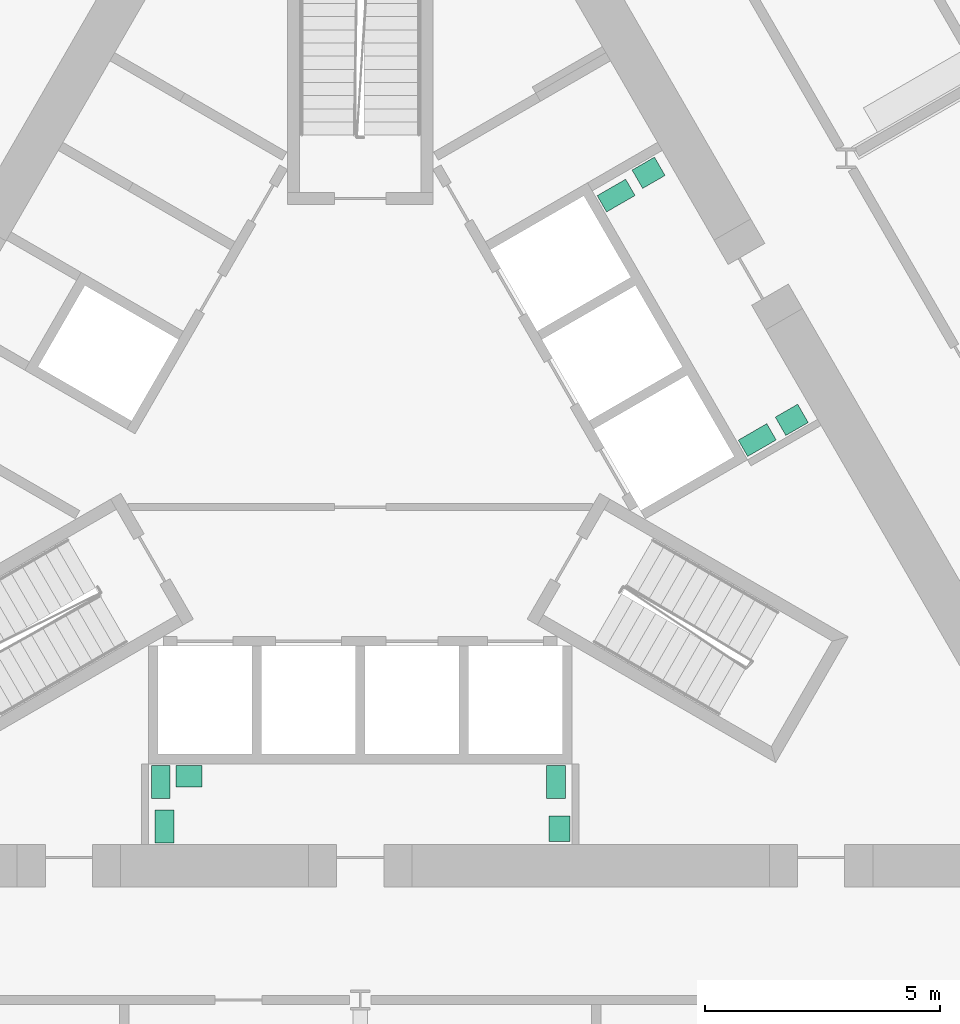
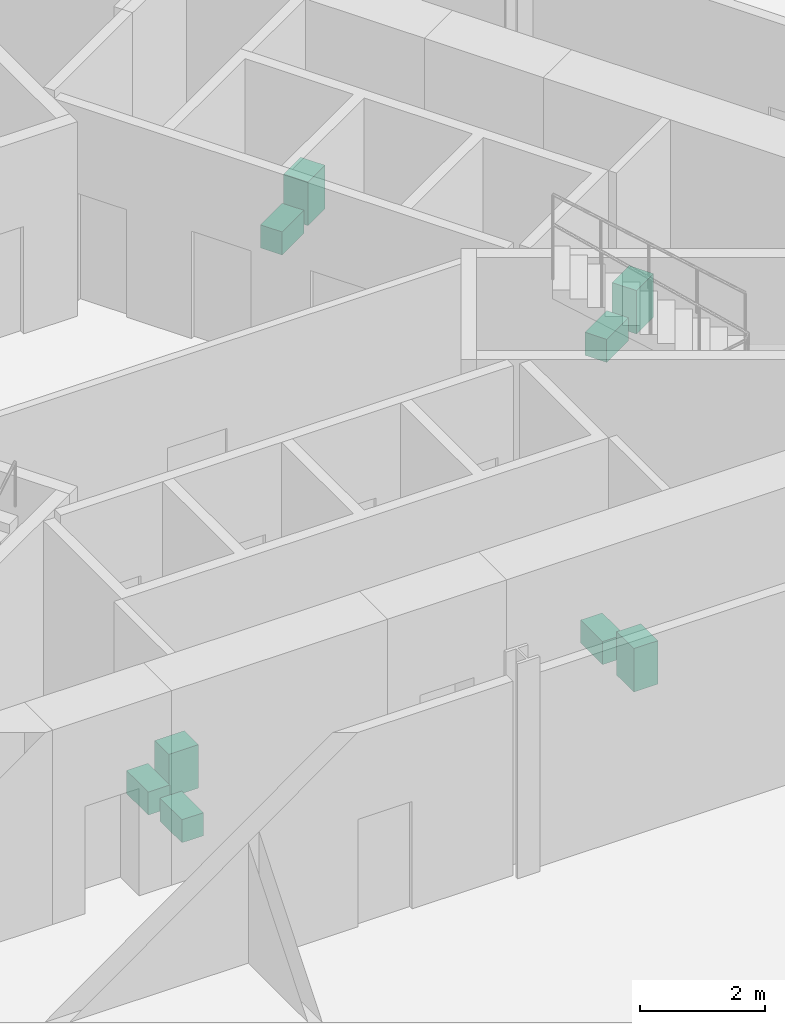
# One storey, part 20 of 21: 9 sanitary terminals.
"""IFC4 building model written with IfcOpenShell, lengths in metres."""

from ifc_helpers import new_model, si_unit, direction, frame, origin, origin_2d, place, context, subcontext, project, spatial, rectangle, extrude, material, type_object, element, save


model = new_model("IFC4")

# Units and contexts
model_context = context("Model", 3, precision=1e-05, world=origin(), true_north=direction((0.0, 1.0)))
body_context = subcontext(model_context, "Body", "Model", "MODEL_VIEW")
ifc_project = project(units=[si_unit("LENGTHUNIT", "METRE"), si_unit("AREAUNIT", "SQUARE_METRE"), si_unit("VOLUMEUNIT", "CUBIC_METRE"), si_unit("PLANEANGLEUNIT", "RADIAN"), si_unit("MASSUNIT", "GRAM", prefix="KILO")], contexts=[model_context])

# Site, building, storey
site_placement = place(None, origin())
site = spatial("IfcSite", under=ifc_project, at=site_placement, CompositionType="ELEMENT")
building_placement = place(site_placement, origin())
building = spatial("IfcBuilding", under=site, at=building_placement, Name="Cormorant Prow Tower", CompositionType="ELEMENT")
storey_placement = place(building_placement, frame((0.0, 0.0, 116.39990234375)))
storey = spatial("IfcBuildingStorey", under=building, at=storey_placement, Name="L24", CompositionType="ELEMENT", Elevation=116.39990234375)

# Sanitary terminals
ifc_material_1 = material(Name="Vitreous china")
sanitary_terminal_type_1 = type_object("IfcSanitaryTerminalType", Name="Wash basin 550x450", PredefinedType="WASHHANDBASIN", material=ifc_material_1)
for number, where, z_axis, x_axis, name in (
    (1, (4.235107421875, -8.286376953125, 0.0), (0.0, 0.0, 1.0), (0.0, 1.0, 0.0), "Wash basin"),
    (2, (-3.639892578125, -7.1708984375, 0.0), (0.0, 0.0, 1.0), (-1.0, 0.0, 0.0), "Wash basin"),
    (3, (6.128662109375, 5.6572265625, 0.0), (0.0, 0.0, 1.0), (-0.866034130299, -0.499984884929, 0.0), "Wash basin"),
    (4, (9.172119140625, 0.405517578125, 0.0), (0.0, 0.0, 1.0), (0.866034130299, 0.499984884929, 0.0), "Wash basin"),
):
    element("IfcSanitaryTerminal", number, at=place(storey_placement, frame(where, z_axis=z_axis, x_axis=x_axis)), inside=storey, type_object=sanitary_terminal_type_1, Name=name, PredefinedType="WASHHANDBASIN", context=body_context, shape_type="SweptSolid", body=[
        extrude(rectangle(XDim=0.550048828125, YDim=0.449951171875, at=origin_2d()), origin(), (0.0, 0.0, 1.0), 0.85009765625),
    ])
ifc_material_2 = material(Name="Vitreous china")
sanitary_terminal_type_2 = type_object("IfcSanitaryTerminalType", Name="Water closet 400x700", PredefinedType="WCSEAT", material=ifc_material_2)
for number, where, z_axis, x_axis, name in (
    (5, (-4.239990234375, -7.2958984375, 0.0), (0.0, 0.0, 1.0), (-1.0, 0.0, 0.0), "Water closet"),
    (6, (4.159912109375, -7.2958984375, 0.0), (0.0, 0.0, 1.0), (-1.0, 0.0, 0.0), "Water closet"),
    (7, (-4.159912109375, -8.236328125, 0.0), (0.0, 0.0, 1.0), (1.0, 0.0, 0.0), "Water closet"),
    (8, (8.4384765625, -0.02392578125, 0.0), (0.0, 0.0, 1.0), (0.5, -0.866025403784, 0.0), "Water closet"),
    (9, (5.4384765625, 5.172119140625, 0.0), (0.0, 0.0, 1.0), (0.5, -0.866025403784, 0.0), "Water closet"),
):
    element("IfcSanitaryTerminal", number, at=place(storey_placement, frame(where, z_axis=z_axis, x_axis=x_axis)), inside=storey, type_object=sanitary_terminal_type_2, Name=name, PredefinedType="WCSEAT", context=body_context, shape_type="SweptSolid", body=[
        extrude(rectangle(XDim=0.39990234375, YDim=0.699951171875, at=origin_2d()), origin(), (0.0, 0.0, 1.0), 0.449951171875),
    ])

save(model, "model.ifc")
